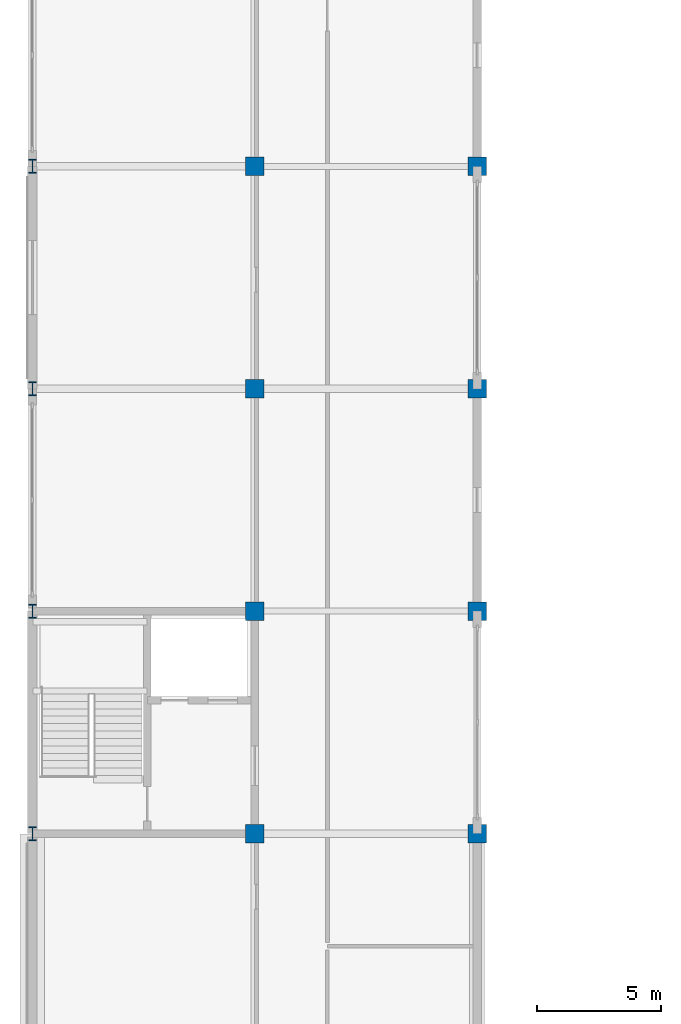
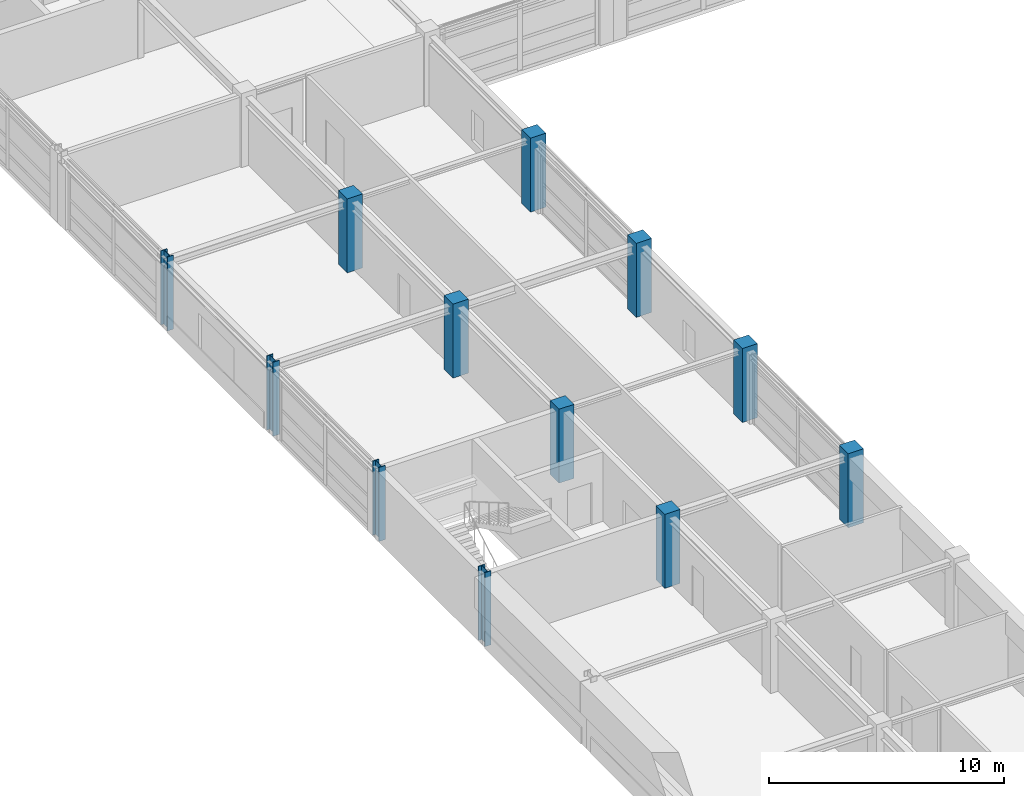
# One storey, part 3 of 79: 12 columns.
"""IFC4 building model written with IfcOpenShell, lengths in metres."""

from ifc_helpers import new_model, si_unit, direction, frame, origin, origin_2d, place, context, subcontext, project, spatial, rectangle, i_section, extrude, material, material_profile, profile_set, type_object, element, save


model = new_model("IFC4")

# Units and contexts
model_context = context("Model", 3, precision=1e-05, world=origin(), true_north=direction((0.0, 1.0)))
body_context = subcontext(model_context, "Body", "Model", "MODEL_VIEW")
ifc_project = project(units=[si_unit("LENGTHUNIT", "METRE"), si_unit("AREAUNIT", "SQUARE_METRE"), si_unit("VOLUMEUNIT", "CUBIC_METRE"), si_unit("PLANEANGLEUNIT", "RADIAN"), si_unit("MASSUNIT", "GRAM", prefix="KILO")], contexts=[model_context])

# Site, building, storey
site_placement = place(None, origin())
site = spatial("IfcSite", under=ifc_project, at=site_placement, CompositionType="ELEMENT")
building_placement = place(site_placement, origin())
building = spatial("IfcBuilding", under=site, at=building_placement, Name="Palais des Congres Ocreval", CompositionType="ELEMENT")
storey_placement = place(building_placement, frame((0.0, 0.0, 4.320068359375)))
storey = spatial("IfcBuildingStorey", under=building, at=storey_placement, Name="L01", CompositionType="ELEMENT", Elevation=4.320068359375)

# Columns
ifc_material_1 = material(Name="Steel S460", Category="steel")
ifc_material_profile_1 = material_profile(ifc_material_1, i_section(OverallWidth=0.305908203125, OverallDepth=0.572021484375, WebThickness=0.02099609375, FlangeThickness=0.0400390625, at=origin_2d()), Name="HEM 550")
ifc_profile_set_1 = profile_set([ifc_material_profile_1], Name="Steel S460")
column_type_1 = type_object("IfcColumnType", Name="Column HEM 550 Steel S460", PredefinedType="COLUMN", material=ifc_profile_set_1)
for number, where, z_axis, x_axis, name in (
    (1, (0.0, 36.0, 0.0), (0.0, 0.0, 1.0), (1.0, 0.0, 0.0), "Column C05 L01"),
    (2, (0.0, 45.0, 0.0), (0.0, 0.0, 1.0), (1.0, 0.0, 0.0), "Column C05 L01"),
    (3, (0.0, 54.0, 0.0), (0.0, 0.0, 1.0), (1.0, 0.0, 0.0), "Column C05 L01"),
    (4, (0.0, 63.0, 0.0), (0.0, 0.0, 1.0), (1.0, 0.0, 0.0), "Column C05 L01"),
):
    element("IfcColumn", number, at=place(storey_placement, frame(where, z_axis=z_axis, x_axis=x_axis)), inside=storey, type_object=column_type_1, Name=name, PredefinedType="COLUMN", context=body_context, shape_type="SweptSolid", body=[
        extrude(i_section(OverallWidth=0.305908203125, OverallDepth=0.572021484375, WebThickness=0.02099609375, FlangeThickness=0.0400390625, at=origin_2d()), origin(), (0.0, 0.0, 1.0), 3.83984375),
    ])
ifc_material_2 = material(Name="Concrete C40/50", Category="concrete")
ifc_material_profile_2 = material_profile(ifc_material_2, rectangle(XDim=0.75, YDim=0.75, at=origin_2d()), Name="RC 750x750")
ifc_profile_set_2 = profile_set([ifc_material_profile_2], Name="Concrete C40/50")
column_type_2 = type_object("IfcColumnType", Name="Column RC 750x750 Concrete C40/50", PredefinedType="COLUMN", material=ifc_profile_set_2)
for number, where, z_axis, x_axis, name in (
    (5, (9.0, 36.0, 0.0), (0.0, 0.0, 1.0), (1.0, 0.0, 0.0), "Column C22 L01"),
    (6, (9.0, 45.0, 0.0), (0.0, 0.0, 1.0), (1.0, 0.0, 0.0), "Column C22 L01"),
    (7, (9.0, 54.0, 0.0), (0.0, 0.0, 1.0), (1.0, 0.0, 0.0), "Column C22 L01"),
    (8, (9.0, 63.0, 0.0), (0.0, 0.0, 1.0), (1.0, 0.0, 0.0), "Column C22 L01"),
    (9, (18.0, 36.0, 0.0), (0.0, 0.0, 1.0), (1.0, 0.0, 0.0), "Column C22 L01"),
    (10, (18.0, 45.0, 0.0), (0.0, 0.0, 1.0), (1.0, 0.0, 0.0), "Column C22 L01"),
    (11, (18.0, 54.0, 0.0), (0.0, 0.0, 1.0), (1.0, 0.0, 0.0), "Column C22 L01"),
    (12, (18.0, 63.0, 0.0), (0.0, 0.0, 1.0), (1.0, 0.0, 0.0), "Column C22 L01"),
):
    element("IfcColumn", number, at=place(storey_placement, frame(where, z_axis=z_axis, x_axis=x_axis)), inside=storey, type_object=column_type_2, Name=name, PredefinedType="COLUMN", context=body_context, shape_type="SweptSolid", body=[
        extrude(rectangle(XDim=0.75, YDim=0.75, at=origin_2d()), origin(), (0.0, 0.0, 1.0), 3.83984375),
    ])

save(model, "model.ifc")
